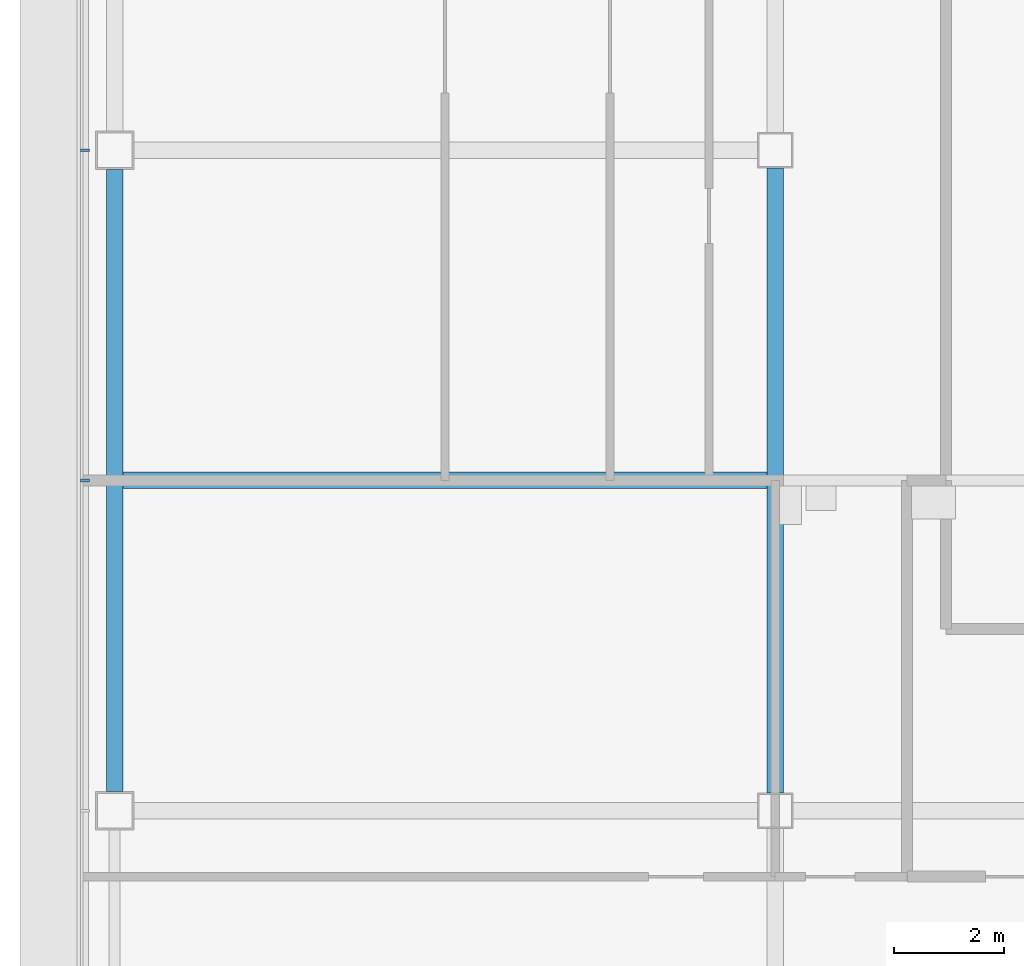
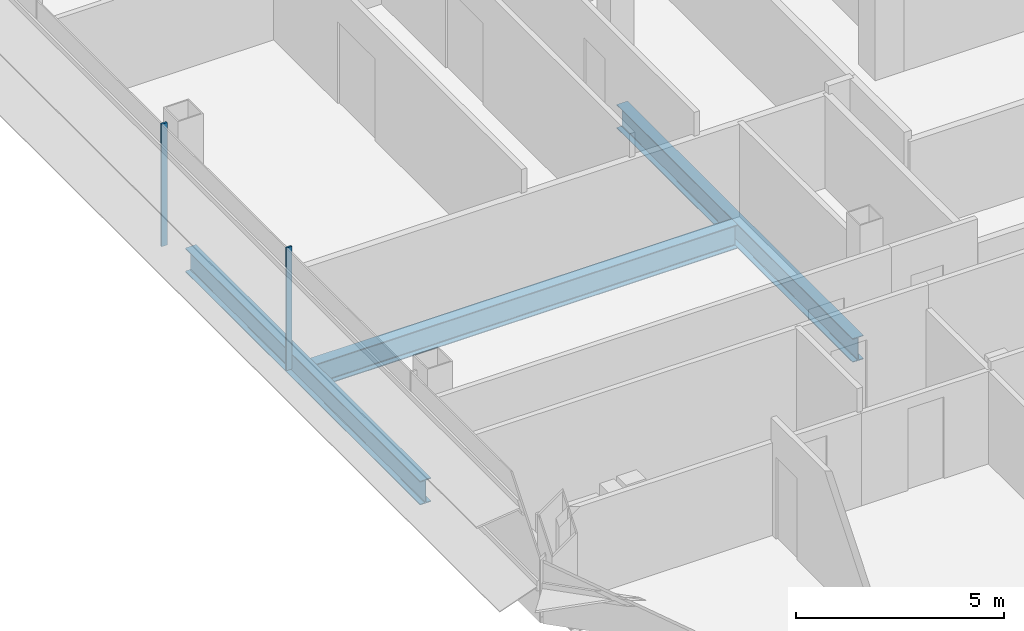
# One storey, part 4 of 27: 3 beams, 2 members, 1 element without a shape of its own.
"""IFC4 building model written with IfcOpenShell, lengths in metres."""

from ifc_helpers import new_model, si_unit, direction, frame, origin, origin_2d, place, context, subcontext, project, spatial, rectangle, i_section, extrude, material, material_profile, profile_set, type_object, element, aggregate, save


model = new_model("IFC4")

# Units and contexts
model_context = context("Model", 3, precision=1e-05, world=origin(), true_north=direction((0.0, 1.0)))
body_context = subcontext(model_context, "Body", "Model", "MODEL_VIEW")
ifc_project = project(units=[si_unit("LENGTHUNIT", "METRE"), si_unit("AREAUNIT", "SQUARE_METRE"), si_unit("VOLUMEUNIT", "CUBIC_METRE"), si_unit("PLANEANGLEUNIT", "RADIAN"), si_unit("MASSUNIT", "GRAM", prefix="KILO")], contexts=[model_context])

# Site, building, storey
site_placement = place(None, origin())
site = spatial("IfcSite", under=ifc_project, at=site_placement, CompositionType="ELEMENT")
building_placement = place(site_placement, origin())
building = spatial("IfcBuilding", under=site, at=building_placement, Name="Sorahane Residences", CompositionType="ELEMENT")
storey_placement = place(building_placement, frame((0.0, 0.0, 195.60009765625)))
storey = spatial("IfcBuildingStorey", under=building, at=storey_placement, Name="L45", CompositionType="ELEMENT", Elevation=195.60009765625)

# Curtain wall, members
ifc_material_1 = material(Name="Dark low-e glass and black anodised aluminium", Category="aluminium")
curtain_wall_type = type_object("IfcCurtainWallType", Name="Curtain wall CW-1 Typical unitised wall", PredefinedType="NOTDEFINED", material=ifc_material_1)
curtain_wall_placement = place(storey_placement, origin())
curtain_wall = element("IfcCurtainWall", 1, at=curtain_wall_placement, inside=storey, type_object=curtain_wall_type, Name="CW-1 curtain wall L45 W1", PredefinedType="NOTDEFINED")
ifc_material_2 = material(Name="Black anodised aluminium", Category="aluminium")
ifc_material_profile_1 = material_profile(ifc_material_2, rectangle(XDim=0.159912109375, YDim=0.050048828125, at=origin_2d()), Name="Curtain wall mullion CW-1 black anodised aluminium 50x160")
ifc_profile_set_1 = profile_set([ifc_material_profile_1], Name="Black anodised aluminium")
member_type = type_object("IfcMemberType", Name="Curtain wall mullion CW-1 black anodised aluminium 50x160", PredefinedType="MULLION", material=ifc_profile_set_1)
member_1_placement = place(storey_placement, frame((-12.5400390625, 24.0, -0.18017578125), z_axis=(0.0, 0.0, 1.0), x_axis=(-1.0, 0.0, 0.0)))
member_1 = element("IfcMember", 2, at=member_1_placement, type_object=member_type, Name="CW-1 mullion L45 W1.4", PredefinedType="MULLION", context=body_context, shape_type="SweptSolid", body=[
    extrude(rectangle(XDim=0.159912109375, YDim=0.050048828125, at=origin_2d()), origin(), (0.0, 0.0, 1.0), 3.60009765625),
])
member_2_placement = place(storey_placement, frame((-12.5400390625, 18.0, -0.18017578125), z_axis=(0.0, 0.0, 1.0), x_axis=(-1.0, 0.0, 0.0)))
member_2 = element("IfcMember", 3, at=member_2_placement, type_object=member_type, Name="CW-1 mullion L45 W1.5", PredefinedType="MULLION", context=body_context, shape_type="SweptSolid", body=[
    extrude(rectangle(XDim=0.159912109375, YDim=0.050048828125, at=origin_2d()), origin(), (0.0, 0.0, 1.0), 3.60009765625),
])
aggregate(curtain_wall, [member_1, member_2])

# Beams
ifc_material_3 = material(Name="Steel Q355B", Category="steel")
ifc_material_profile_2 = material_profile(ifc_material_3, i_section(OverallWidth=0.300048828125, OverallDepth=0.699951171875, WebThickness=0.012939453125, FlangeThickness=0.02392578125, FilletRadius=0.028076171875, at=origin_2d()), Name="HN 700x300x13x24")
ifc_profile_set_2 = profile_set([ifc_material_profile_2], Name="Steel Q355B")
beam_type = type_object("IfcBeamType", Name="Steel floor beam HN 700x300x13x24 Q355B", PredefinedType="BEAM", material=ifc_profile_set_2)
beam_1_placement = place(storey_placement, frame((-12.0, 12.35009765625, -0.530029296875), z_axis=(0.0, 1.0, 0.0), x_axis=(-1.0, 0.0, 0.0)))
element("IfcBeam", 4, at=beam_1_placement, inside=storey, type_object=beam_type, Name="Beam L45 021", PredefinedType="BEAM", context=body_context, shape_type="SweptSolid", body=[
    extrude(i_section(OverallWidth=0.300048828125, OverallDepth=0.699951171875, WebThickness=0.012939453125, FlangeThickness=0.02392578125, FilletRadius=0.028076171875, at=origin_2d()), origin(), (0.0, 0.0, 1.0), 11.2998046875),
])
beam_2_placement = place(storey_placement, frame((0.0, 12.324951171875, -0.530029296875), z_axis=(0.0, 1.0, 0.0), x_axis=(-1.0, 0.0, 0.0)))
element("IfcBeam", 5, at=beam_2_placement, inside=storey, type_object=beam_type, Name="Beam L45 025", PredefinedType="BEAM", context=body_context, shape_type="SweptSolid", body=[
    extrude(i_section(OverallWidth=0.300048828125, OverallDepth=0.699951171875, WebThickness=0.012939453125, FlangeThickness=0.02392578125, FilletRadius=0.028076171875, at=origin_2d()), origin(), (0.0, 0.0, 1.0), 11.35009765625),
])
beam_3_placement = place(storey_placement, frame((-11.85009765625, 18.0, -0.530029296875), z_axis=(1.0, 0.0, 0.0), x_axis=(0.0, 1.0, 0.0)))
element("IfcBeam", 6, at=beam_3_placement, inside=storey, type_object=beam_type, Name="Beam L45 078", PredefinedType="BEAM", context=body_context, shape_type="SweptSolid", body=[
    extrude(i_section(OverallWidth=0.300048828125, OverallDepth=0.699951171875, WebThickness=0.012939453125, FlangeThickness=0.02392578125, FilletRadius=0.028076171875, at=origin_2d()), origin(), (0.0, 0.0, 1.0), 11.7001953125),
])

save(model, "model.ifc")
